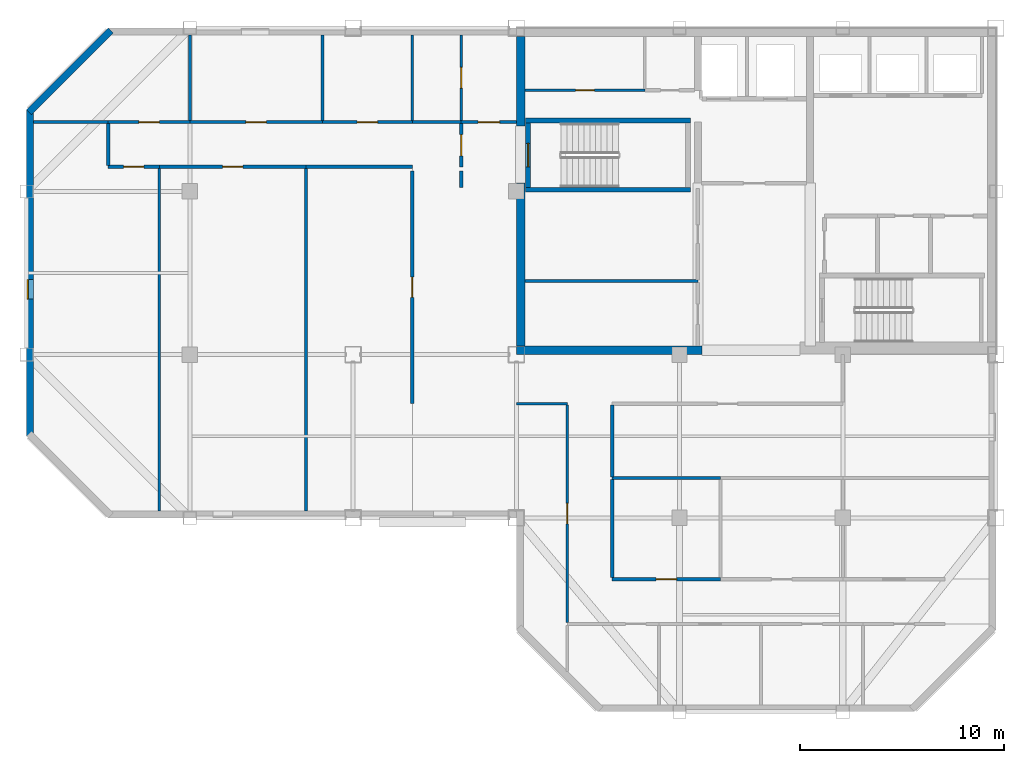
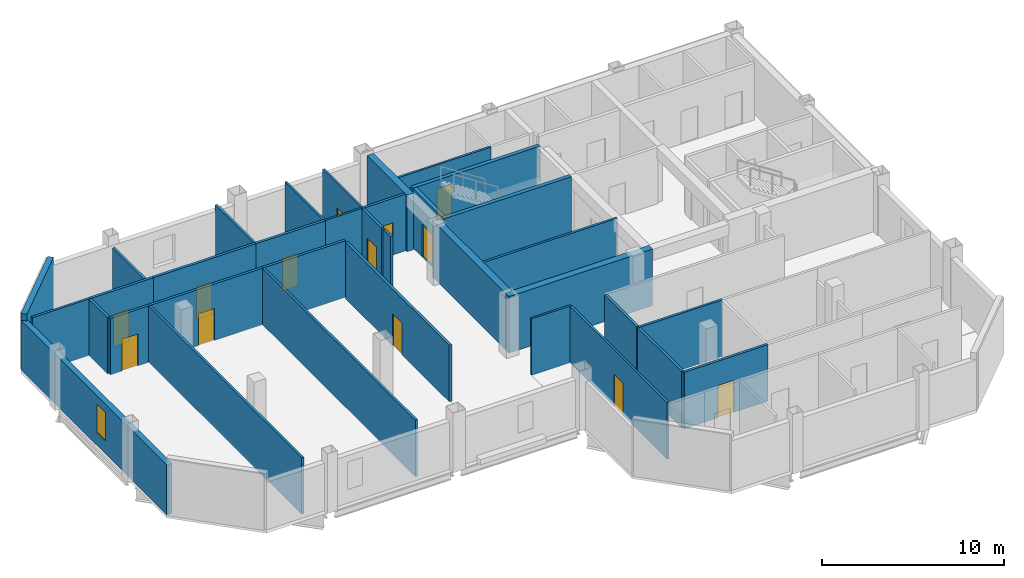
# One storey, part 2 of 7: 35 walls, 13 doors, 1 window, 14 openings.
"""IFC4 building model written with IfcOpenShell, lengths in metres."""

from ifc_helpers import new_model, si_unit, direction, frame, frame_2d, origin, place, context, subcontext, project, spatial, rectangle, extrude, material, layer, layer_set, type_object, element, fill, save


model = new_model("IFC4")

# Units and contexts
model_context = context("Model", 3, precision=1e-05, world=origin(), true_north=direction((0.0, 1.0)))
body_context = subcontext(model_context, "Body", "Model", "MODEL_VIEW")
ifc_project = project(units=[si_unit("LENGTHUNIT", "METRE"), si_unit("AREAUNIT", "SQUARE_METRE"), si_unit("VOLUMEUNIT", "CUBIC_METRE"), si_unit("PLANEANGLEUNIT", "RADIAN"), si_unit("MASSUNIT", "GRAM", prefix="KILO")], contexts=[model_context])

# Site, building, storey
site_placement = place(None, origin())
site = spatial("IfcSite", under=ifc_project, at=site_placement, CompositionType="ELEMENT")
building_placement = place(site_placement, origin())
building = spatial("IfcBuilding", under=site, at=building_placement, Name="Qianrong Seaharbour Tower", CompositionType="ELEMENT")
storey_placement = place(building_placement, frame((0.0, 0.0, 355.199951171875)))
storey = spatial("IfcBuildingStorey", under=building, at=storey_placement, Name="L86", CompositionType="ELEMENT", Elevation=355.199951171875)

# Walls
ifc_material_1 = material(Name="Concrete C50/60", Category="concrete")
ifc_layer_1 = layer(ifc_material_1, 0.419921875)
ifc_layer_set_1 = layer_set([ifc_layer_1], Name="Concrete C50/60")
wall_type_1 = type_object("IfcWallType", Name="WALL-CORE-420", PredefinedType="SHEAR", material=ifc_layer_set_1)
wall_1_placement = place(storey_placement, frame((40.7099609375, 36.419921875, 0.0), z_axis=(0.0, 0.0, 1.0), x_axis=(0.0, 1.0, 0.0)))
element("IfcWall", 1, at=wall_1_placement, inside=storey, type_object=wall_type_1, Name="L86 West Core Shear Wall South", PredefinedType="SHEAR", context=body_context, shape_type="SweptSolid", body=[
    extrude(rectangle(XDim=7.97998046875, YDim=0.419921875, at=frame_2d((3.989990234375, 0.0))), origin(), (0.0, 0.0, 1.0), 3.78515625),
])
wall_2_placement = place(storey_placement, frame((40.7099609375, 47.199951171875, 0.0), z_axis=(0.0, 0.0, 1.0), x_axis=(0.0, 1.0, 0.0)))
element("IfcWall", 2, at=wall_2_placement, inside=storey, type_object=wall_type_1, Name="L86 West Core Shear Wall North", PredefinedType="SHEAR", context=body_context, shape_type="SweptSolid", body=[
    extrude(rectangle(XDim=4.380126953125, YDim=0.419921875, at=frame_2d((2.18994140625, 0.0))), origin(), (0.0, 0.0, 1.0), 3.78515625),
])
wall_3_placement = place(storey_placement, frame((40.5, 36.2099609375, 0.0), z_axis=(0.0, 0.0, 1.0), x_axis=(1.0, 0.0, 0.0)))
element("IfcWall", 3, at=wall_3_placement, inside=storey, type_object=wall_type_1, Name="L86 South Core Shear Wall S1", PredefinedType="SHEAR", context=body_context, shape_type="SweptSolid", body=[
    extrude(rectangle(XDim=9.10009765625, YDim=0.419921875, at=frame_2d((4.550048828125, 0.0))), origin(), (0.0, 0.0, 1.0), 3.78515625),
])

# Wall, opening, door
ifc_material_2 = material(Name="Fire-rated acoustic gypsum board partition")
ifc_layer_2 = layer(ifc_material_2, 0.1650390625)
ifc_layer_set_2 = layer_set([ifc_layer_2], Name="Fire-rated acoustic gypsum board partition")
wall_type_2 = type_object("IfcWallType", Name="WALL-CORR-PART-165", PredefinedType="PARTITIONING", material=ifc_layer_set_2)
wall_4_placement = place(storey_placement, frame((37.800048828125, 47.39990234375, 0.0), z_axis=(0.0, 0.0, 1.0), x_axis=(1.0, 0.0, 0.0)))
wall_4 = element("IfcWall", 4, at=wall_4_placement, inside=storey, type_object=wall_type_2, Name="L86 Interior Partition Wall 001", PredefinedType="PARTITIONING", context=body_context, shape_type="SweptSolid", body=[
    extrude(rectangle(XDim=2.699951171875, YDim=0.1650390625, at=frame_2d((1.35009765625, 0.0))), origin(), (0.0, 0.0, 1.0), 3.78515625),
])
opening_1_placement = place(wall_4_placement, frame((0.824951171875, 0.0, 0.0)))
opening_1 = element("IfcOpeningElement", 5, at=opening_1_placement, cuts=wall_4, Name="Opening DC-01", PredefinedType="OPENING", context=body_context, shape_type="SweptSolid", body=[
    extrude(rectangle(XDim=1.050048828125, YDim=2.14990234375, at=frame_2d((0.52490234375, 1.074951171875))), frame((0.0, 0.092529296875, 0.0), z_axis=(0.0, -1.0, 0.0), x_axis=(1.0, 0.0, 0.0)), (0.0, 0.0, 1.0), 0.18505859375),
])
ifc_material_3 = material(Name="Acoustic timber and galvanized steel fire door assembly", Category="steel")
door_type_1 = type_object("IfcDoorType", Name="DOOR-CORR-FD60-1050x2150", OperationType="NOTDEFINED", PredefinedType="DOOR", material=ifc_material_3)
door_1_placement = place(opening_1_placement, origin())
door_1 = element("IfcDoor", 6, at=door_1_placement, inside=storey, type_object=door_type_1, Name="L86 Smokeproof Stair Vestibule ST-1 Door", OperationType="SINGLE_SWING_LEFT", OverallHeight=2.14990234375, OverallWidth=1.050048828125, PredefinedType="DOOR", context=body_context, shape_type="SweptSolid", body=[
    extrude(rectangle(XDim=1.050048828125, YDim=2.14990234375, at=frame_2d((0.52490234375, 1.074951171875))), frame((0.0, 0.02490234375, 0.0), z_axis=(0.0, -1.0, 0.0), x_axis=(1.0, 0.0, 0.0)), (0.0, 0.0, 1.0), 0.050048828125),
])
fill(opening_1, door_1)

wall_5_placement = place(storey_placement, frame((37.800048828125, 45.199951171875, 0.0), z_axis=(0.0, 0.0, 1.0), x_axis=(0.0, 1.0, 0.0)))
wall_5 = element("IfcWall", 7, at=wall_5_placement, inside=storey, type_object=wall_type_2, Name="L86 Interior Partition Wall 002", PredefinedType="PARTITIONING", context=body_context, shape_type="SweptSolid", body=[
    extrude(rectangle(XDim=2.12548828125, YDim=0.1650390625, at=frame_2d((1.062744140625, 0.0))), origin(), (0.0, 0.0, 1.0), 3.78515625),
])
opening_2_placement = place(wall_5_placement, frame((0.537841796875, 0.0, 0.0)))
opening_2 = element("IfcOpeningElement", 8, at=opening_2_placement, cuts=wall_5, Name="Opening DC-01", PredefinedType="OPENING", context=body_context, shape_type="SweptSolid", body=[
    extrude(rectangle(XDim=1.050048828125, YDim=2.14990234375, at=frame_2d((0.52490234375, 1.074951171875))), frame((0.0, 0.092529296875, 0.0), z_axis=(0.0, -1.0, 0.0), x_axis=(1.0, 0.0, 0.0)), (0.0, 0.0, 1.0), 0.18505859375),
])
door_2_placement = place(opening_2_placement, origin())
door_2 = element("IfcDoor", 9, at=door_2_placement, inside=storey, type_object=door_type_1, Name="L86 Smokeproof Stair Vestibule ST-1 Door", OperationType="SINGLE_SWING_RIGHT", OverallHeight=2.14990234375, OverallWidth=1.050048828125, PredefinedType="DOOR", context=body_context, shape_type="SweptSolid", body=[
    extrude(rectangle(XDim=1.050048828125, YDim=2.14990234375, at=frame_2d((0.52490234375, 1.074951171875))), frame((0.0, 0.02490234375, 0.0), z_axis=(0.0, -1.0, 0.0), x_axis=(1.0, 0.0, 0.0)), (0.0, 0.0, 1.0), 0.050048828125),
])
fill(opening_2, door_2)

# Wall
wall_6_placement = place(storey_placement, frame((37.800048828125, 44.199951171875, 0.0), z_axis=(0.0, 0.0, 1.0), x_axis=(0.0, 1.0, 0.0)))
element("IfcWall", 10, at=wall_6_placement, inside=storey, type_object=wall_type_2, Name="L86 Interior Partition Wall 003", PredefinedType="PARTITIONING", context=body_context, shape_type="SweptSolid", body=[
    extrude(rectangle(XDim=0.800048828125, YDim=0.1650390625, at=frame_2d((0.39990234375, 0.0))), origin(), (0.0, 0.0, 1.0), 3.78515625),
])

# Wall, opening, door
wall_7_placement = place(storey_placement, frame((20.5, 47.39990234375, 0.0), z_axis=(0.0, 0.0, 1.0), x_axis=(1.0, 0.0, 0.0)))
wall_7 = element("IfcWall", 11, at=wall_7_placement, inside=storey, type_object=wall_type_2, Name="L86 Interior Partition Wall 020", PredefinedType="PARTITIONING", context=body_context, shape_type="SweptSolid", body=[
    extrude(rectangle(XDim=4.0, YDim=0.1650390625, at=frame_2d((2.0, 0.0))), origin(), (0.0, 0.0, 1.0), 3.78515625),
])
opening_3_placement = place(wall_7_placement, frame((1.5, 0.0, 0.0)))
opening_3 = element("IfcOpeningElement", 12, at=opening_3_placement, cuts=wall_7, Name="Opening DO-01", PredefinedType="OPENING", context=body_context, shape_type="SweptSolid", body=[
    extrude(rectangle(XDim=1.0, YDim=2.14990234375, at=frame_2d((0.5, 1.074951171875))), frame((0.0, 0.092529296875, 0.0), z_axis=(0.0, -1.0, 0.0), x_axis=(1.0, 0.0, 0.0)), (0.0, 0.0, 1.0), 0.18505859375),
])
door_type_2 = type_object("IfcDoorType", Name="DOOR-OFFICE-1000x2150", OperationType="NOTDEFINED", PredefinedType="DOOR", material=ifc_material_3)
door_3_placement = place(opening_3_placement, origin())
door_3 = element("IfcDoor", 13, at=door_3_placement, inside=storey, type_object=door_type_2, Name="L86 Vessel Model Showroom 1 Door", OperationType="SINGLE_SWING_RIGHT", OverallHeight=2.14990234375, OverallWidth=1.0, PredefinedType="DOOR", context=body_context, shape_type="SweptSolid", body=[
    extrude(rectangle(XDim=1.0, YDim=2.14990234375, at=frame_2d((0.5, 1.074951171875))), frame((0.0, 0.02490234375, 0.0), z_axis=(0.0, -1.0, 0.0), x_axis=(1.0, 0.0, 0.0)), (0.0, 0.0, 1.0), 0.050048828125),
])
fill(opening_3, door_3)

wall_8_placement = place(storey_placement, frame((24.5, 47.39990234375, 0.0), z_axis=(0.0, 0.0, 1.0), x_axis=(1.0, 0.0, 0.0)))
wall_8 = element("IfcWall", 14, at=wall_8_placement, inside=storey, type_object=wall_type_2, Name="L86 Interior Partition Wall 021", PredefinedType="PARTITIONING", context=body_context, shape_type="SweptSolid", body=[
    extrude(rectangle(XDim=6.5, YDim=0.1650390625, at=frame_2d((3.25, 0.0))), origin(), (0.0, 0.0, 1.0), 3.78515625),
])
opening_4_placement = place(wall_8_placement, frame((2.75, 0.0, 0.0)))
opening_4 = element("IfcOpeningElement", 15, at=opening_4_placement, cuts=wall_8, Name="Opening DO-01", PredefinedType="OPENING", context=body_context, shape_type="SweptSolid", body=[
    extrude(rectangle(XDim=1.0, YDim=2.14990234375, at=frame_2d((0.5, 1.074951171875))), frame((0.0, 0.092529296875, 0.0), z_axis=(0.0, -1.0, 0.0), x_axis=(1.0, 0.0, 0.0)), (0.0, 0.0, 1.0), 0.18505859375),
])
door_4_placement = place(opening_4_placement, origin())
door_4 = element("IfcDoor", 16, at=door_4_placement, inside=storey, type_object=door_type_2, Name="L86 Navigation Systems Showroom 2 Door", OperationType="SINGLE_SWING_LEFT", OverallHeight=2.14990234375, OverallWidth=1.0, PredefinedType="DOOR", context=body_context, shape_type="SweptSolid", body=[
    extrude(rectangle(XDim=1.0, YDim=2.14990234375, at=frame_2d((0.5, 1.074951171875))), frame((0.0, 0.02490234375, 0.0), z_axis=(0.0, -1.0, 0.0), x_axis=(1.0, 0.0, 0.0)), (0.0, 0.0, 1.0), 0.050048828125),
])
fill(opening_4, door_4)

wall_9_placement = place(storey_placement, frame((31.0, 47.39990234375, 0.0), z_axis=(0.0, 0.0, 1.0), x_axis=(1.0, 0.0, 0.0)))
wall_9 = element("IfcWall", 17, at=wall_9_placement, inside=storey, type_object=wall_type_2, Name="L86 Interior Partition Wall 022", PredefinedType="PARTITIONING", context=body_context, shape_type="SweptSolid", body=[
    extrude(rectangle(XDim=4.39990234375, YDim=0.1650390625, at=frame_2d((2.199951171875, 0.0))), origin(), (0.0, 0.0, 1.0), 3.78515625),
])
opening_5_placement = place(wall_9_placement, frame((1.699951171875, 0.0, 0.0)))
opening_5 = element("IfcOpeningElement", 18, at=opening_5_placement, cuts=wall_9, Name="Opening DO-01", PredefinedType="OPENING", context=body_context, shape_type="SweptSolid", body=[
    extrude(rectangle(XDim=1.0, YDim=2.14990234375, at=frame_2d((0.5, 1.074951171875))), frame((0.0, 0.092529296875, 0.0), z_axis=(0.0, -1.0, 0.0), x_axis=(1.0, 0.0, 0.0)), (0.0, 0.0, 1.0), 0.18505859375),
])
door_5_placement = place(opening_5_placement, origin())
door_5 = element("IfcDoor", 19, at=door_5_placement, inside=storey, type_object=door_type_2, Name="L86 Marine Propulsion Showroom 3 Door", OperationType="SINGLE_SWING_RIGHT", OverallHeight=2.14990234375, OverallWidth=1.0, PredefinedType="DOOR", context=body_context, shape_type="SweptSolid", body=[
    extrude(rectangle(XDim=1.0, YDim=2.14990234375, at=frame_2d((0.5, 1.074951171875))), frame((0.0, 0.02490234375, 0.0), z_axis=(0.0, -1.0, 0.0), x_axis=(1.0, 0.0, 0.0)), (0.0, 0.0, 1.0), 0.050048828125),
])
fill(opening_5, door_5)

wall_10_placement = place(storey_placement, frame((23.0, 45.199951171875, 0.0), z_axis=(0.0, 0.0, 1.0), x_axis=(-1.0, 0.0, 0.0)))
wall_10 = element("IfcWall", 20, at=wall_10_placement, inside=storey, type_object=wall_type_2, Name="L86 Interior Partition Wall 023", PredefinedType="PARTITIONING", context=body_context, shape_type="SweptSolid", body=[
    extrude(rectangle(XDim=2.5, YDim=0.1650390625, at=frame_2d((1.25, 0.0))), origin(), (0.0, 0.0, 1.0), 3.78515625),
])
opening_6_placement = place(wall_10_placement, frame((0.75, 0.0, 0.0)))
opening_6 = element("IfcOpeningElement", 21, at=opening_6_placement, cuts=wall_10, Name="Opening DO-01", PredefinedType="OPENING", context=body_context, shape_type="SweptSolid", body=[
    extrude(rectangle(XDim=1.0, YDim=2.14990234375, at=frame_2d((0.5, 1.074951171875))), frame((0.0, 0.092529296875, 0.0), z_axis=(0.0, -1.0, 0.0), x_axis=(1.0, 0.0, 0.0)), (0.0, 0.0, 1.0), 0.18505859375),
])
door_6_placement = place(opening_6_placement, origin())
door_6 = element("IfcDoor", 22, at=door_6_placement, inside=storey, type_object=door_type_2, Name="L86 Cargo Systems Showroom 1 Door", OperationType="SINGLE_SWING_LEFT", OverallHeight=2.14990234375, OverallWidth=1.0, PredefinedType="DOOR", context=body_context, shape_type="SweptSolid", body=[
    extrude(rectangle(XDim=1.0, YDim=2.14990234375, at=frame_2d((0.5, 1.074951171875))), frame((0.0, 0.02490234375, 0.0), z_axis=(0.0, -1.0, 0.0), x_axis=(1.0, 0.0, 0.0)), (0.0, 0.0, 1.0), 0.050048828125),
])
fill(opening_6, door_6)

# Wall
wall_11_placement = place(storey_placement, frame((20.5, 45.2744140625, 0.0), z_axis=(0.0, 0.0, 1.0), x_axis=(0.0, 1.0, 0.0)))
element("IfcWall", 23, at=wall_11_placement, inside=storey, type_object=wall_type_2, Name="L86 Interior Partition Wall 024", PredefinedType="PARTITIONING", context=body_context, shape_type="SweptSolid", body=[
    extrude(rectangle(XDim=2.051025390625, YDim=0.1650390625, at=frame_2d((1.025390625, 0.0))), origin(), (0.0, 0.0, 1.0), 3.78515625),
])

# Wall, opening, door
wall_12_placement = place(storey_placement, frame((30.199951171875, 45.199951171875, 0.0), z_axis=(0.0, 0.0, 1.0), x_axis=(-1.0, 0.0, 0.0)))
wall_12 = element("IfcWall", 24, at=wall_12_placement, inside=storey, type_object=wall_type_2, Name="L86 Interior Partition Wall 025", PredefinedType="PARTITIONING", context=body_context, shape_type="SweptSolid", body=[
    extrude(rectangle(XDim=7.199951171875, YDim=0.1650390625, at=frame_2d((3.60009765625, 0.0))), origin(), (0.0, 0.0, 1.0), 3.78515625),
])
opening_7_placement = place(wall_12_placement, frame((3.10009765625, 0.0, 0.0)))
opening_7 = element("IfcOpeningElement", 25, at=opening_7_placement, cuts=wall_12, Name="Opening DO-01", PredefinedType="OPENING", context=body_context, shape_type="SweptSolid", body=[
    extrude(rectangle(XDim=1.0, YDim=2.14990234375, at=frame_2d((0.5, 1.074951171875))), frame((0.0, 0.092529296875, 0.0), z_axis=(0.0, -1.0, 0.0), x_axis=(1.0, 0.0, 0.0)), (0.0, 0.0, 1.0), 0.18505859375),
])
door_7_placement = place(opening_7_placement, origin())
door_7 = element("IfcDoor", 26, at=door_7_placement, inside=storey, type_object=door_type_2, Name="L86 Fleet Logistics Showroom 2 Door", OperationType="SINGLE_SWING_RIGHT", OverallHeight=2.14990234375, OverallWidth=1.0, PredefinedType="DOOR", context=body_context, shape_type="SweptSolid", body=[
    extrude(rectangle(XDim=1.0, YDim=2.14990234375, at=frame_2d((0.5, 1.074951171875))), frame((0.0, 0.02490234375, 0.0), z_axis=(0.0, -1.0, 0.0), x_axis=(1.0, 0.0, 0.0)), (0.0, 0.0, 1.0), 0.050048828125),
])
fill(opening_7, door_7)

# Wall
wall_13_placement = place(storey_placement, frame((35.39990234375, 45.199951171875, 0.0), z_axis=(0.0, 0.0, 1.0), x_axis=(-1.0, 0.0, 0.0)))
element("IfcWall", 27, at=wall_13_placement, inside=storey, type_object=wall_type_2, Name="L86 Interior Partition Wall 026", PredefinedType="PARTITIONING", context=body_context, shape_type="SweptSolid", body=[
    extrude(rectangle(XDim=5.199951171875, YDim=0.1650390625, at=frame_2d((2.60009765625, 0.0))), origin(), (0.0, 0.0, 1.0), 3.78515625),
])

# Wall, opening, door
wall_14_placement = place(storey_placement, frame((35.39990234375, 33.60009765625, 0.0), z_axis=(0.0, 0.0, 1.0), x_axis=(0.0, 1.0, 0.0)))
wall_14 = element("IfcWall", 28, at=wall_14_placement, inside=storey, type_object=wall_type_2, Name="L86 Interior Partition Wall 027", PredefinedType="PARTITIONING", context=body_context, shape_type="SweptSolid", body=[
    extrude(rectangle(XDim=11.39990234375, YDim=0.1650390625, at=frame_2d((5.699951171875, 0.0))), origin(), (0.0, 0.0, 1.0), 3.78515625),
])
opening_8_placement = place(wall_14_placement, frame((5.199951171875, 0.0, 0.0)))
opening_8 = element("IfcOpeningElement", 29, at=opening_8_placement, cuts=wall_14, Name="Opening DO-01", PredefinedType="OPENING", context=body_context, shape_type="SweptSolid", body=[
    extrude(rectangle(XDim=1.0, YDim=2.14990234375, at=frame_2d((0.5, 1.074951171875))), frame((0.0, 0.092529296875, 0.0), z_axis=(0.0, -1.0, 0.0), x_axis=(1.0, 0.0, 0.0)), (0.0, 0.0, 1.0), 0.18505859375),
])
door_8_placement = place(opening_8_placement, origin())
door_8 = element("IfcDoor", 30, at=door_8_placement, inside=storey, type_object=door_type_2, Name="L86 VIP Client Lounge 3 Door", OperationType="SINGLE_SWING_LEFT", OverallHeight=2.14990234375, OverallWidth=1.0, PredefinedType="DOOR", context=body_context, shape_type="SweptSolid", body=[
    extrude(rectangle(XDim=1.0, YDim=2.14990234375, at=frame_2d((0.5, 1.074951171875))), frame((0.0, 0.02490234375, 0.0), z_axis=(0.0, -1.0, 0.0), x_axis=(1.0, 0.0, 0.0)), (0.0, 0.0, 1.0), 0.050048828125),
])
fill(opening_8, door_8)

# Walls
wall_15_placement = place(storey_placement, frame((45.199951171875, 33.525390625, 0.0), z_axis=(0.0, 0.0, 1.0), x_axis=(0.0, -1.0, 0.0)))
element("IfcWall", 31, at=wall_15_placement, inside=storey, type_object=wall_type_2, Name="L86 Interior Partition Wall 031", PredefinedType="PARTITIONING", context=body_context, shape_type="SweptSolid", body=[
    extrude(rectangle(XDim=3.510986328125, YDim=0.1650390625, at=frame_2d((1.75537109375, 0.0))), origin(), (0.0, 0.0, 1.0), 3.78515625),
])
wall_16_placement = place(storey_placement, frame((45.199951171875, 29.885498046875, 0.0), z_axis=(0.0, 0.0, 1.0), x_axis=(0.0, -1.0, 0.0)))
element("IfcWall", 32, at=wall_16_placement, inside=storey, type_object=wall_type_2, Name="L86 Interior Partition Wall 032", PredefinedType="PARTITIONING", context=body_context, shape_type="SweptSolid", body=[
    extrude(rectangle(XDim=4.81103515625, YDim=0.1650390625, at=frame_2d((2.405517578125, 0.0))), origin(), (0.0, 0.0, 1.0), 3.78515625),
])

# Wall, opening, door
wall_17_placement = place(storey_placement, frame((45.199951171875, 25.0, 0.0), z_axis=(0.0, 0.0, 1.0), x_axis=(1.0, 0.0, 0.0)))
wall_17 = element("IfcWall", 33, at=wall_17_placement, inside=storey, type_object=wall_type_2, Name="L86 Interior Partition Wall 035", PredefinedType="PARTITIONING", context=body_context, shape_type="SweptSolid", body=[
    extrude(rectangle(XDim=5.300048828125, YDim=0.1650390625, at=frame_2d((2.64990234375, 0.0))), origin(), (0.0, 0.0, 1.0), 3.78515625),
])
opening_9_placement = place(wall_17_placement, frame((2.14990234375, 0.0, 0.0)))
opening_9 = element("IfcOpeningElement", 34, at=opening_9_placement, cuts=wall_17, Name="Opening DO-01", PredefinedType="OPENING", context=body_context, shape_type="SweptSolid", body=[
    extrude(rectangle(XDim=1.0, YDim=2.14990234375, at=frame_2d((0.5, 1.074951171875))), frame((0.0, 0.092529296875, 0.0), z_axis=(0.0, -1.0, 0.0), x_axis=(1.0, 0.0, 0.0)), (0.0, 0.0, 1.0), 0.18505859375),
])
door_9_placement = place(opening_9_placement, origin())
door_9 = element("IfcDoor", 35, at=door_9_placement, inside=storey, type_object=door_type_2, Name="L86 Chartering Model Showroom 1 Door", OperationType="SINGLE_SWING_LEFT", OverallHeight=2.14990234375, OverallWidth=1.0, PredefinedType="DOOR", context=body_context, shape_type="SweptSolid", body=[
    extrude(rectangle(XDim=1.0, YDim=2.14990234375, at=frame_2d((0.5, 1.074951171875))), frame((0.0, 0.02490234375, 0.0), z_axis=(0.0, -1.0, 0.0), x_axis=(1.0, 0.0, 0.0)), (0.0, 0.0, 1.0), 0.050048828125),
])
fill(opening_9, door_9)

# Wall, opening, window
ifc_material_4 = material(Name="Unitised buff brick on Precast concrete C45/55", Category="masonry")
ifc_layer_3 = layer(ifc_material_4, 0.340087890625)
ifc_layer_set_3 = layer_set([ifc_layer_3], Name="Unitised buff brick on Precast concrete C45/55")
wall_type_3 = type_object("IfcWallType", Name="WALL-EXT-BRICK-BUFF-340", PredefinedType="SOLIDWALL", material=ifc_layer_set_3)
wall_18_placement = place(storey_placement, frame((16.669921875, 32.0, 0.0), z_axis=(0.0, 0.0, 1.0), x_axis=(0.0, 1.0, 0.0)))
wall_18 = element("IfcWall", 36, at=wall_18_placement, inside=storey, type_object=wall_type_3, Name="L86 Exterior Masonry Facade Wall WEST_TIP", PredefinedType="SOLIDWALL", context=body_context, shape_type="SweptSolid", body=[
    extrude(rectangle(XDim=16.0, YDim=0.340087890625, at=frame_2d((8.0, 0.0))), origin(), (0.0, 0.0, 1.0), 3.3349609375),
])
opening_10_placement = place(wall_18_placement, frame((6.72509765625, 0.0, 0.89990234375)))
opening_10 = element("IfcOpeningElement", 37, at=opening_10_placement, cuts=wall_18, Name="Opening WN-13", PredefinedType="OPENING", context=body_context, shape_type="SweptSolid", body=[
    extrude(rectangle(XDim=0.949951171875, YDim=1.85009765625, at=frame_2d((0.47509765625, 0.925048828125))), frame((0.0, 0.18017578125, 0.0), z_axis=(0.0, -1.0, 0.0), x_axis=(1.0, 0.0, 0.0)), (0.0, 0.0, 1.0), 0.360107421875),
])
ifc_material_5 = material(Name="Insulated low-e double glazing in thermally broken aluminium 6063-T6 frame", Category="aluminium")
window_type = type_object("IfcWindowType", Name="WIN-NARROW-950x1850", PartitioningType="SINGLE_PANEL", PredefinedType="WINDOW", material=ifc_material_5)
window_placement = place(opening_10_placement, origin())
window = element("IfcWindow", 38, at=window_placement, inside=storey, type_object=window_type, Name="L86 Deep-Set Punched Window 03.02", OverallHeight=1.85009765625, OverallWidth=0.949951171875, PartitioningType="SINGLE_PANEL", PredefinedType="WINDOW", context=body_context, shape_type="SweptSolid", body=[
    extrude(rectangle(XDim=0.949951171875, YDim=1.85009765625, at=frame_2d((0.47509765625, 0.925048828125))), frame((0.0, 0.150146484375, 0.0), z_axis=(0.0, -1.0, 0.0), x_axis=(1.0, 0.0, 0.0)), (0.0, 0.0, 1.0), 0.06005859375),
])
fill(opening_10, window)

# Walls
wall_19_placement = place(storey_placement, frame((16.6201171875, 47.8798828125, 0.0), z_axis=(0.0, 0.0, 1.0), x_axis=(0.707106781187, 0.707106781187, 0.0)))
element("IfcWall", 39, at=wall_19_placement, inside=storey, type_object=wall_type_3, Name="L86 Exterior Masonry Facade Wall E04", PredefinedType="SOLIDWALL", context=body_context, shape_type="SweptSolid", body=[
    extrude(rectangle(XDim=5.65673828125, YDim=0.340087890625, at=frame_2d((2.828369140625, 0.0))), origin(), (0.0, 0.0, 1.0), 3.78515625),
])
ifc_material_6 = material(Name="Acoustic gypsum board stud partition")
ifc_layer_4 = layer(ifc_material_6, 0.14501953125)
ifc_layer_set_4 = layer_set([ifc_layer_4], Name="Acoustic gypsum board stud partition")
wall_type_4 = type_object("IfcWallType", Name="WALL-OFFICE-PART-145", PredefinedType="PARTITIONING", material=ifc_layer_set_4)
wall_20_placement = place(storey_placement, frame((40.919921875, 39.60009765625, 0.0), z_axis=(0.0, 0.0, 1.0), x_axis=(1.0, 0.0, 0.0)))
element("IfcWall", 40, at=wall_20_placement, inside=storey, type_object=wall_type_4, Name="L86 Interior Partition Wall 013", PredefinedType="PARTITIONING", context=body_context, shape_type="SweptSolid", body=[
    extrude(rectangle(XDim=8.47998046875, YDim=0.14501953125, at=frame_2d((4.239990234375, 0.0))), origin(), (0.0, 0.0, 1.0), 3.78515625),
])
wall_21_placement = place(storey_placement, frame((50.5, 29.949951171875, 0.0), z_axis=(0.0, 0.0, 1.0), x_axis=(-1.0, 0.0, 0.0)))
element("IfcWall", 41, at=wall_21_placement, inside=storey, type_object=wall_type_4, Name="L86 Interior Partition Wall 042", PredefinedType="PARTITIONING", context=body_context, shape_type="SweptSolid", body=[
    extrude(rectangle(XDim=5.300048828125, YDim=0.14501953125, at=frame_2d((2.64990234375, 0.0))), origin(), (0.0, 0.0, 1.0), 3.78515625),
])
wall_22_placement = place(storey_placement, frame((24.5, 51.66796875, 0.0), z_axis=(0.0, 0.0, 1.0), x_axis=(0.0, -1.0, 0.0)))
element("IfcWall", 42, at=wall_22_placement, inside=storey, type_object=wall_type_4, Name="L86 Interior Partition Wall 047", PredefinedType="PARTITIONING", context=body_context, shape_type="SweptSolid", body=[
    extrude(rectangle(XDim=4.193359375, YDim=0.14501953125, at=frame_2d((2.0966796875, 0.0))), origin(), (0.0, 0.0, 1.0), 3.177001953125),
])
wall_23_placement = place(storey_placement, frame((20.5, 47.39990234375, 0.0), z_axis=(0.0, 0.0, 1.0), x_axis=(-1.0, 0.0, 0.0)))
element("IfcWall", 43, at=wall_23_placement, inside=storey, type_object=wall_type_4, Name="L86 Interior Partition Wall 048", PredefinedType="PARTITIONING", context=body_context, shape_type="SweptSolid", body=[
    extrude(rectangle(XDim=3.66796875, YDim=0.14501953125, at=frame_2d((1.833984375, 0.0))), origin(), (0.0, 0.0, 1.0), 3.78515625),
])
wall_24_placement = place(storey_placement, frame((31.0, 51.66796875, 0.0), z_axis=(0.0, 0.0, 1.0), x_axis=(0.0, -1.0, 0.0)))
element("IfcWall", 44, at=wall_24_placement, inside=storey, type_object=wall_type_4, Name="L86 Interior Partition Wall 049", PredefinedType="PARTITIONING", context=body_context, shape_type="SweptSolid", body=[
    extrude(rectangle(XDim=4.193359375, YDim=0.14501953125, at=frame_2d((2.0966796875, 0.0))), origin(), (0.0, 0.0, 1.0), 3.78515625),
])
for number, where, z_axis, x_axis, name in (
    (45, (23.0, 45.12548828125, 0.0), (0.0, 0.0, 1.0), (0.0, -1.0, 0.0), "L86 Interior Partition Wall 050"),
    (46, (30.199951171875, 45.12548828125, 0.0), (0.0, 0.0, 1.0), (0.0, -1.0, 0.0), "L86 Interior Partition Wall 051"),
):
    element("IfcWall", number, at=place(storey_placement, frame(where, z_axis=z_axis, x_axis=x_axis)), inside=storey, type_object=wall_type_4, Name=name, PredefinedType="PARTITIONING", context=body_context, shape_type="SweptSolid", body=[
        extrude(rectangle(XDim=16.79345703125, YDim=0.14501953125, at=frame_2d((8.396728515625, 0.0))), origin(), (0.0, 0.0, 1.0), 3.78515625),
    ])
ifc_layer_5 = layer(ifc_material_1, 0.239990234375)
ifc_layer_set_5 = layer_set([ifc_layer_5], Name="Concrete C50/60")
wall_type_5 = type_object("IfcWallType", Name="WALL-SHAFT-RC240", PredefinedType="SOLIDWALL", material=ifc_layer_set_5)
for number, where, z_axis, x_axis, name in (
    (47, (40.9599609375, 47.469970703125, 0.0), (0.0, 0.0, 1.0), (1.0, 0.0, 0.0), "L86 ST-1 Structural Stair Core Wall N"),
    (48, (49.0400390625, 44.080078125, 0.0), (0.0, 0.0, 1.0), (-1.0, 0.0, 0.0), "L86 ST-1 Structural Stair Core Wall S"),
):
    element("IfcWall", number, at=place(storey_placement, frame(where, z_axis=z_axis, x_axis=x_axis)), inside=storey, type_object=wall_type_5, Name=name, PredefinedType="SOLIDWALL", context=body_context, shape_type="SweptSolid", body=[
        extrude(rectangle(XDim=8.080078125, YDim=0.239990234375, at=frame_2d((4.0400390625, 0.0))), origin(), (0.0, 0.0, 1.0), 4.0),
    ])

# Wall, opening, door
wall_25_placement = place(storey_placement, frame((41.080078125, 47.35009765625, 0.0), z_axis=(0.0, 0.0, 1.0), x_axis=(0.0, -1.0, 0.0)))
wall_25 = element("IfcWall", 49, at=wall_25_placement, inside=storey, type_object=wall_type_5, Name="L86 ST-1 Structural Stair Core Wall W", PredefinedType="SOLIDWALL", context=body_context, shape_type="SweptSolid", body=[
    extrude(rectangle(XDim=3.150146484375, YDim=0.239990234375, at=frame_2d((1.5751953125, 0.0))), origin(), (0.0, 0.0, 1.0), 4.0),
])
opening_11_placement = place(wall_25_placement, frame((1.0, 0.0, 0.0)))
opening_11 = element("IfcOpeningElement", 50, at=opening_11_placement, cuts=wall_25, Name="Opening SD-01", PredefinedType="OPENING", context=body_context, shape_type="SweptSolid", body=[
    extrude(rectangle(XDim=1.14990234375, YDim=2.199951171875, at=frame_2d((0.574951171875, 1.10009765625))), frame((0.0, 0.1298828125, 0.0), z_axis=(0.0, -1.0, 0.0), x_axis=(1.0, 0.0, 0.0)), (0.0, 0.0, 1.0), 0.260009765625),
])
door_type_3 = type_object("IfcDoorType", Name="DOOR-STAIR-FD60-1150x2200", OperationType="NOTDEFINED", PredefinedType="DOOR", material=ifc_material_3)
door_10_placement = place(opening_11_placement, origin())
door_10 = element("IfcDoor", 51, at=door_10_placement, inside=storey, type_object=door_type_3, Name="L86 ST-1 Protected Stair Door", OperationType="SINGLE_SWING_LEFT", OverallHeight=2.199951171875, OverallWidth=1.14990234375, PredefinedType="DOOR", context=body_context, shape_type="SweptSolid", body=[
    extrude(rectangle(XDim=1.14990234375, YDim=2.199951171875, at=frame_2d((0.574951171875, 1.10009765625))), frame((0.0, 0.02490234375, 0.0), z_axis=(0.0, -1.0, 0.0), x_axis=(1.0, 0.0, 0.0)), (0.0, 0.0, 1.0), 0.050048828125),
])
fill(opening_11, door_10)

ifc_material_7 = material(Name="Water-resistant cement board sanitary partition")
ifc_layer_6 = layer(ifc_material_7, 0.1298828125)
ifc_layer_set_6 = layer_set([ifc_layer_6], Name="Water-resistant cement board sanitary partition")
wall_type_6 = type_object("IfcWallType", Name="WALL-WET-PART-130", PredefinedType="PARTITIONING", material=ifc_layer_set_6)
wall_26_placement = place(storey_placement, frame((37.800048828125, 47.474609375, 0.0), z_axis=(0.0, 0.0, 1.0), x_axis=(0.0, 1.0, 0.0)))
wall_26 = element("IfcWall", 52, at=wall_26_placement, inside=storey, type_object=wall_type_6, Name="L86 Interior Partition Wall 004", PredefinedType="PARTITIONING", context=body_context, shape_type="SweptSolid", body=[
    extrude(rectangle(XDim=4.193359375, YDim=0.1298828125, at=frame_2d((2.0966796875, 0.0))), origin(), (0.0, 0.0, 1.0), 3.78515625),
])
opening_12_placement = place(wall_26_placement, frame((1.5869140625, 0.0, 0.0)))
opening_12 = element("IfcOpeningElement", 53, at=opening_12_placement, cuts=wall_26, Name="Opening DAW-01", PredefinedType="OPENING", context=body_context, shape_type="SweptSolid", body=[
    extrude(rectangle(XDim=1.02001953125, YDim=2.14990234375, at=frame_2d((0.510009765625, 1.074951171875))), frame((0.0, 0.074951171875, 0.0), z_axis=(0.0, -1.0, 0.0), x_axis=(1.0, 0.0, 0.0)), (0.0, 0.0, 1.0), 0.14990234375),
])
door_type_4 = type_object("IfcDoorType", Name="DOOR-AWC-SLIDE-1020x2150", OperationType="SLIDING_TO_LEFT", PredefinedType="DOOR", material=ifc_material_3)
door_11_placement = place(opening_12_placement, origin())
door_11 = element("IfcDoor", 54, at=door_11_placement, inside=storey, type_object=door_type_4, Name="L86 Accessible Restroom WC Door", OperationType="SLIDING_TO_LEFT", OverallHeight=2.14990234375, OverallWidth=1.02001953125, PredefinedType="DOOR", context=body_context, shape_type="SweptSolid", body=[
    extrude(rectangle(XDim=1.02001953125, YDim=2.14990234375, at=frame_2d((0.510009765625, 1.074951171875))), frame((0.0, 0.02490234375, 0.0), z_axis=(0.0, -1.0, 0.0), x_axis=(1.0, 0.0, 0.0)), (0.0, 0.0, 1.0), 0.050048828125),
])
fill(opening_12, door_11)

# Walls
wall_27_placement = place(storey_placement, frame((37.800048828125, 47.39990234375, 0.0), z_axis=(0.0, 0.0, 1.0), x_axis=(-1.0, 0.0, 0.0)))
element("IfcWall", 55, at=wall_27_placement, inside=storey, type_object=wall_type_6, Name="L86 Interior Partition Wall 005", PredefinedType="PARTITIONING", context=body_context, shape_type="SweptSolid", body=[
    extrude(rectangle(XDim=2.400146484375, YDim=0.1298828125, at=frame_2d((1.2001953125, 0.0))), origin(), (0.0, 0.0, 1.0), 3.78515625),
])
wall_28_placement = place(storey_placement, frame((35.39990234375, 47.474609375, 0.0), z_axis=(0.0, 0.0, 1.0), x_axis=(0.0, 1.0, 0.0)))
element("IfcWall", 56, at=wall_28_placement, inside=storey, type_object=wall_type_6, Name="L86 Interior Partition Wall 006", PredefinedType="PARTITIONING", context=body_context, shape_type="SweptSolid", body=[
    extrude(rectangle(XDim=4.193359375, YDim=0.1298828125, at=frame_2d((2.0966796875, 0.0))), origin(), (0.0, 0.0, 1.0), 3.78515625),
])

# Wall, opening, door
wall_29_placement = place(storey_placement, frame((40.919921875, 48.949951171875, 0.0), z_axis=(0.0, 0.0, 1.0), x_axis=(1.0, 0.0, 0.0)))
wall_29 = element("IfcWall", 57, at=wall_29_placement, inside=storey, type_object=wall_type_6, Name="L86 Interior Partition Wall 007", PredefinedType="PARTITIONING", context=body_context, shape_type="SweptSolid", body=[
    extrude(rectangle(XDim=5.880126953125, YDim=0.1298828125, at=frame_2d((2.93994140625, 0.0))), origin(), (0.0, 0.0, 1.0), 3.78515625),
])
opening_13_placement = place(wall_29_placement, frame((2.47998046875, 0.0, 0.0)))
opening_13 = element("IfcOpeningElement", 58, at=opening_13_placement, cuts=wall_29, Name="Opening DW-01", PredefinedType="OPENING", context=body_context, shape_type="SweptSolid", body=[
    extrude(rectangle(XDim=0.919921875, YDim=2.14990234375, at=frame_2d((0.4599609375, 1.074951171875))), frame((0.0, 0.074951171875, 0.0), z_axis=(0.0, -1.0, 0.0), x_axis=(1.0, 0.0, 0.0)), (0.0, 0.0, 1.0), 0.14990234375),
])
door_type_5 = type_object("IfcDoorType", Name="DOOR-WC-920x2150", OperationType="NOTDEFINED", PredefinedType="DOOR", material=ifc_material_3)
door_12_placement = place(opening_13_placement, origin())
door_12 = element("IfcDoor", 59, at=door_12_placement, inside=storey, type_object=door_type_5, Name="L86 Restroom WC Suite Door", OperationType="SINGLE_SWING_LEFT", OverallHeight=2.14990234375, OverallWidth=0.919921875, PredefinedType="DOOR", context=body_context, shape_type="SweptSolid", body=[
    extrude(rectangle(XDim=0.919921875, YDim=2.14990234375, at=frame_2d((0.4599609375, 1.074951171875))), frame((0.0, 0.02490234375, 0.0), z_axis=(0.0, -1.0, 0.0), x_axis=(1.0, 0.0, 0.0)), (0.0, 0.0, 1.0), 0.050048828125),
])
fill(opening_13, door_12)

# Wall
wall_30_placement = place(storey_placement, frame((43.0, 33.60009765625, 0.0), z_axis=(0.0, 0.0, 1.0), x_axis=(-1.0, 0.0, 0.0)))
element("IfcWall", 60, at=wall_30_placement, inside=storey, type_object=wall_type_6, Name="L86 Interior Partition Wall 030", PredefinedType="PARTITIONING", context=body_context, shape_type="SweptSolid", body=[
    extrude(rectangle(XDim=2.5, YDim=0.1298828125, at=frame_2d((1.25, 0.0))), origin(), (0.0, 0.0, 1.0), 3.78515625),
])

# Wall, opening, door
wall_31_placement = place(storey_placement, frame((43.0, 22.87451171875, 0.0), z_axis=(0.0, 0.0, 1.0), x_axis=(0.0, 1.0, 0.0)))
wall_31 = element("IfcWall", 61, at=wall_31_placement, inside=storey, type_object=wall_type_6, Name="L86 Interior Partition Wall 033", PredefinedType="PARTITIONING", context=body_context, shape_type="SweptSolid", body=[
    extrude(rectangle(XDim=10.66845703125, YDim=0.1298828125, at=frame_2d((5.334228515625, 0.0))), origin(), (0.0, 0.0, 1.0), 3.78515625),
])
opening_14_placement = place(wall_31_placement, frame((4.834228515625, 0.0, 0.0)))
opening_14 = element("IfcOpeningElement", 62, at=opening_14_placement, cuts=wall_31, Name="Opening DO-01", PredefinedType="OPENING", context=body_context, shape_type="SweptSolid", body=[
    extrude(rectangle(XDim=1.0, YDim=2.14990234375, at=frame_2d((0.5, 1.074951171875))), frame((0.0, 0.074951171875, 0.0), z_axis=(0.0, -1.0, 0.0), x_axis=(1.0, 0.0, 0.0)), (0.0, 0.0, 1.0), 0.14990234375),
])
door_13_placement = place(opening_14_placement, origin())
door_13 = element("IfcDoor", 63, at=door_13_placement, inside=storey, type_object=door_type_2, Name="L86 Wet Pantry 1 Door", OperationType="SINGLE_SWING_RIGHT", OverallHeight=2.14990234375, OverallWidth=1.0, PredefinedType="DOOR", context=body_context, shape_type="SweptSolid", body=[
    extrude(rectangle(XDim=1.0, YDim=2.14990234375, at=frame_2d((0.5, 1.074951171875))), frame((0.0, 0.02490234375, 0.0), z_axis=(0.0, -1.0, 0.0), x_axis=(1.0, 0.0, 0.0)), (0.0, 0.0, 1.0), 0.050048828125),
])
fill(opening_14, door_13)

save(model, "model.ifc")
